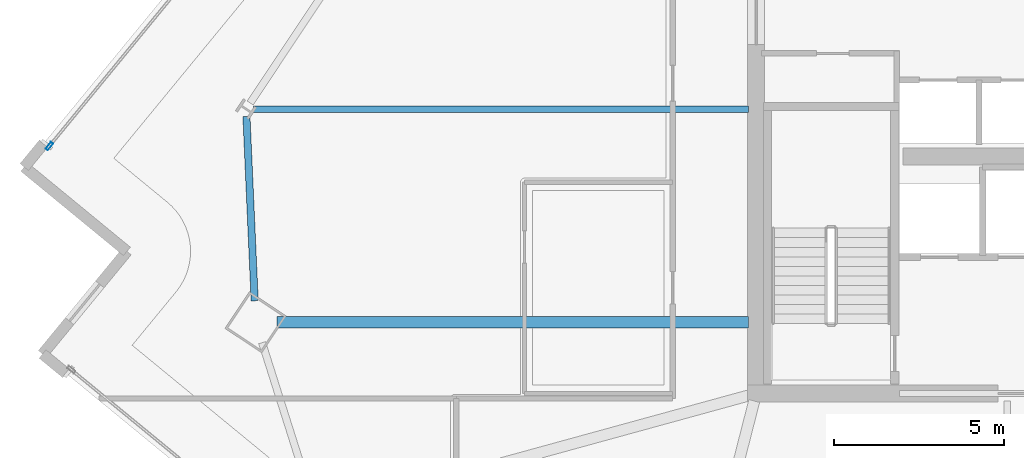
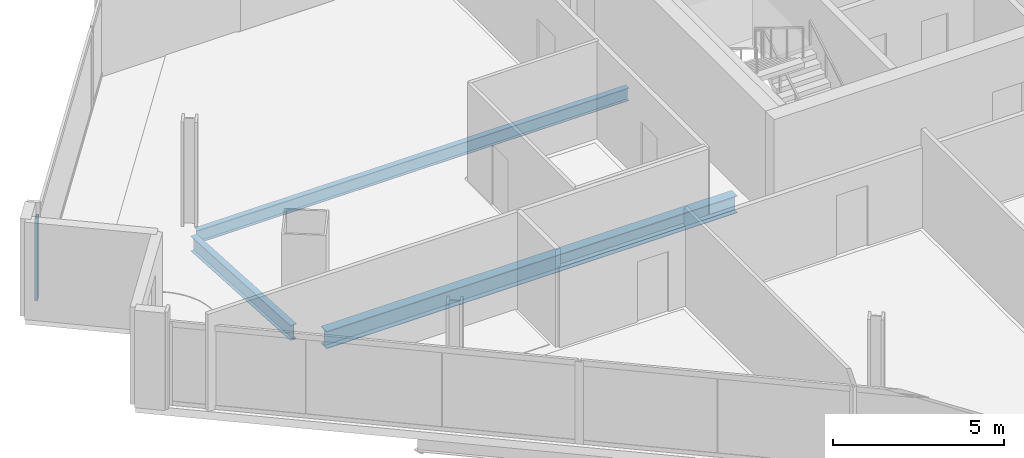
# One storey, part 6 of 28: 3 beams, 1 member, 1 element without a shape of its own.
"""IFC4 building model written with IfcOpenShell, lengths in metres."""

from ifc_helpers import new_model, si_unit, direction, frame, origin, origin_2d, place, context, subcontext, project, spatial, hollow_rectangle, i_section, extrude, material, material_profile, profile_set, type_object, element, aggregate, save


model = new_model("IFC4")

# Units and contexts
model_context = context("Model", 3, precision=1e-05, world=origin(), true_north=direction((0.0, 1.0)))
body_context = subcontext(model_context, "Body", "Model", "MODEL_VIEW")
ifc_project = project(units=[si_unit("LENGTHUNIT", "METRE"), si_unit("AREAUNIT", "SQUARE_METRE"), si_unit("VOLUMEUNIT", "CUBIC_METRE"), si_unit("PLANEANGLEUNIT", "RADIAN"), si_unit("MASSUNIT", "GRAM", prefix="KILO")], contexts=[model_context])

# Site, building, storey
site_placement = place(None, origin())
site = spatial("IfcSite", under=ifc_project, at=site_placement, CompositionType="ELEMENT")
building_placement = place(site_placement, origin())
building = spatial("IfcBuilding", under=site, at=building_placement, Name="Haldenkirk Collegiate Tower", CompositionType="ELEMENT")
storey_placement = place(building_placement, frame((0.0, 0.0, 198.449951171875)))
storey = spatial("IfcBuildingStorey", under=building, at=storey_placement, Name="L49", CompositionType="ELEMENT", Elevation=198.449951171875)

# Beams
ifc_material_1 = material(Name="Steel ASTM A992 Grade 50", Category="steel")
ifc_material_profile_1 = material_profile(ifc_material_1, i_section(OverallWidth=0.324951171875, OverallDepth=0.615966796875, WebThickness=0.013916015625, FlangeThickness=0.021484375, at=origin_2d()), Name="W24X117")
ifc_profile_set_1 = profile_set([ifc_material_profile_1], Name="Steel ASTM A992 Grade 50")
beam_type_1 = type_object("IfcBeamType", Name="BM-GIRDER-W24X117", PredefinedType="BEAM", material=ifc_profile_set_1)
beam_1_placement = place(storey_placement, frame((12.9345703125, 20.089599609375, -0.587890625), z_axis=(1.0, 0.0, 0.0), x_axis=(0.0, 1.0, 0.0)))
element("IfcBeam", 1, at=beam_1_placement, inside=storey, type_object=beam_type_1, Name="L49 primary floor girder 04", PredefinedType="BEAM", context=body_context, shape_type="SweptSolid", body=[
    extrude(i_section(OverallWidth=0.324951171875, OverallDepth=0.615966796875, WebThickness=0.013916015625, FlangeThickness=0.021484375, at=origin_2d()), origin(), (0.0, 0.0, 1.0), 13.83544921875),
])
ifc_material_profile_2 = material_profile(ifc_material_1, i_section(OverallWidth=0.18994140625, OverallDepth=0.45703125, WebThickness=0.009033203125, FlangeThickness=0.014404296875, at=origin_2d()), Name="W18X50")
ifc_profile_set_2 = profile_set([ifc_material_profile_2], Name="Steel ASTM A992 Grade 50")
beam_type_2 = type_object("IfcBeamType", Name="BM-JOIST-W18X50", PredefinedType="JOIST", material=ifc_profile_set_2)
beam_2_placement = place(storey_placement, frame((12.2421875, 26.34716796875, -0.508544921875), z_axis=(1.0, 0.0, 0.0), x_axis=(0.0, 1.0, 0.0)))
element("IfcBeam", 2, at=beam_2_placement, inside=storey, type_object=beam_type_2, Name="L49 composite floor joist 13", PredefinedType="JOIST", context=body_context, shape_type="SweptSolid", body=[
    extrude(i_section(OverallWidth=0.18994140625, OverallDepth=0.45703125, WebThickness=0.009033203125, FlangeThickness=0.014404296875, at=origin_2d()), origin(), (0.0, 0.0, 1.0), 14.52783203125),
])
ifc_material_profile_3 = material_profile(ifc_material_1, i_section(OverallWidth=0.2099609375, OverallDepth=0.537109375, WebThickness=0.010986328125, FlangeThickness=0.017333984375, at=origin_2d()), Name="W21X68")
ifc_profile_set_3 = profile_set([ifc_material_profile_3], Name="Steel ASTM A992 Grade 50")
beam_type_3 = type_object("IfcBeamType", Name="BM-SPANDREL-W21X68", PredefinedType="SPANDREL", material=ifc_profile_set_3)
beam_3_placement = place(storey_placement, frame((12.034912109375, 26.13037109375, -0.54833984375), z_axis=(0.044620526426, -0.999004008311, 0.0), x_axis=(0.999004008311, 0.044620526426, 0.0)))
element("IfcBeam", 3, at=beam_3_placement, inside=storey, type_object=beam_type_3, Name="L49 perimeter spandrel beam 12", PredefinedType="SPANDREL", context=body_context, shape_type="SweptSolid", body=[
    extrude(i_section(OverallWidth=0.2099609375, OverallDepth=0.537109375, WebThickness=0.010986328125, FlangeThickness=0.017333984375, at=origin_2d()), origin(), (0.0, 0.0, 1.0), 5.416748046875),
])

# Curtain wall, member
ifc_material_2 = material(Name="Anodised architectural bronze aluminium", Category="aluminium")
curtain_wall_type = type_object("IfcCurtainWallType", Name="CW-SYS1B-CONVEX-HI", PredefinedType="USERDEFINED", material=ifc_material_2)
curtain_wall_placement = place(storey_placement, origin())
curtain_wall = element("IfcCurtainWall", 4, at=curtain_wall_placement, inside=storey, type_object=curtain_wall_type, Name="L49 Upper tower high-wind convex bronze unitised curtain wall", ObjectType="UNITISED CURTAIN WALL", PredefinedType="USERDEFINED")
ifc_material_profile_4 = material_profile(ifc_material_2, hollow_rectangle(XDim=0.0849609375, YDim=0.25, WallThickness=0.0048828125, at=origin_2d()), Name="CW-MUL-1B")
ifc_profile_set_4 = profile_set([ifc_material_profile_4], Name="Anodised architectural bronze aluminium")
member_type = type_object("IfcMemberType", Name="CW-MUL-1B", PredefinedType="MULLION", material=ifc_profile_set_4)
member_placement = place(storey_placement, frame((6.247802734375, 25.258544921875, 0.0), z_axis=(0.0, 0.0, 1.0), x_axis=(-0.772732318121, 0.634732041519, 0.0)))
member = element("IfcMember", 5, at=member_placement, type_object=member_type, Name="CW-1B mullion 1", PredefinedType="MULLION", context=body_context, shape_type="SweptSolid", body=[
    extrude(hollow_rectangle(XDim=0.0849609375, YDim=0.25, WallThickness=0.0048828125, at=origin_2d()), origin(), (0.0, 0.0, 1.0), 2.927978515625),
])
aggregate(curtain_wall, [member])

save(model, "model.ifc")
